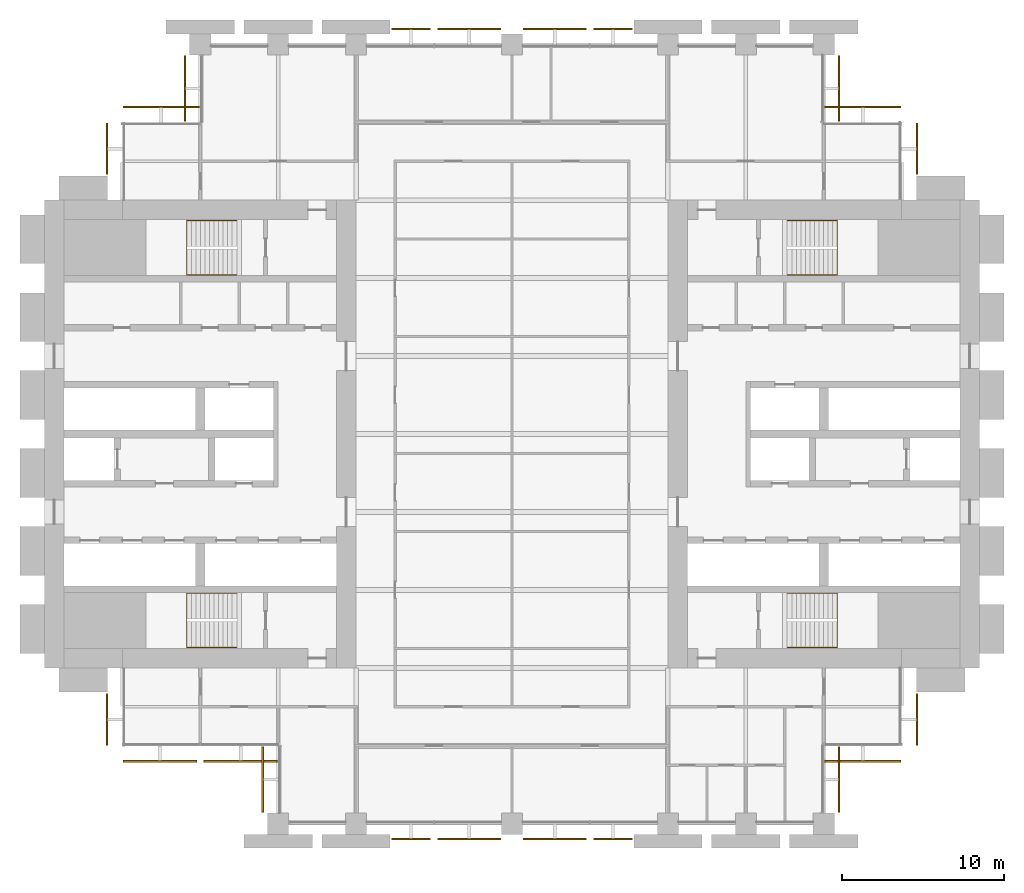
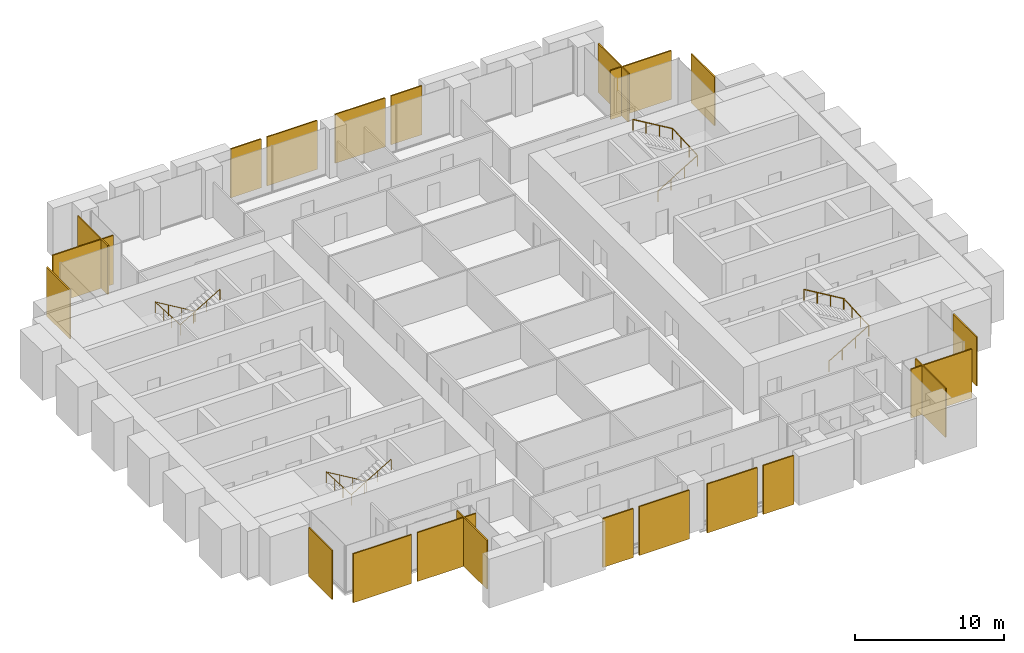
# One storey, part 14 of 14: 21 coverings, 4 railings.
"""IFC4 building model written with IfcOpenShell, lengths in metres."""

from ifc_helpers import new_model, si_unit, direction, frame, origin, origin_2d, place, context, subcontext, project, spatial, polyline, circle, outline, extrude, material, layer, layer_set, type_object, element, save


model = new_model("IFC4")

# Units and contexts
model_context = context("Model", 3, precision=1e-05, world=origin(), true_north=direction((0.0, 1.0)))
body_context = subcontext(model_context, "Body", "Model", "MODEL_VIEW")
ifc_project = project(units=[si_unit("LENGTHUNIT", "METRE"), si_unit("AREAUNIT", "SQUARE_METRE"), si_unit("VOLUMEUNIT", "CUBIC_METRE"), si_unit("PLANEANGLEUNIT", "RADIAN"), si_unit("MASSUNIT", "GRAM", prefix="KILO")], contexts=[model_context])

# Site, building, storey
site_placement = place(None, origin())
site = spatial("IfcSite", under=ifc_project, at=site_placement, CompositionType="ELEMENT")
building_placement = place(site_placement, origin())
building = spatial("IfcBuilding", under=site, at=building_placement, Name="Baori Bourse Tower", CompositionType="ELEMENT")
storey_placement = place(building_placement, frame((0.0, 0.0, 55.0)))
storey = spatial("IfcBuildingStorey", under=building, at=storey_placement, Name="L11", CompositionType="ELEMENT", Elevation=55.0)

# Railings
ifc_material_1 = material(Name="Powder-coated steel balustrade", Category="steel")
railing_type = type_object("IfcRailingType", Name="Core stair handrail", PredefinedType="HANDRAIL", material=ifc_material_1)
railing_1_placement = place(storey_placement, frame((11.85009765625, 14.199951171875, 0.166748046875)))
element("IfcRailing", 1, at=railing_1_placement, inside=storey, type_object=railing_type, Name="L11 ST1 stair handrail 1", PredefinedType="HANDRAIL", context=body_context, shape_type="SweptSolid", body=[
    extrude(circle(Radius=0.02392578125, at=origin_2d()), frame((0.0, 0.0, 0.8759765625), z_axis=(-0.859308565015, 0.0, 0.511457515432), x_axis=(0.0, -1.0, 0.0)), (0.0, 0.0, 1.0), 3.58447265625),
    extrude(circle(Radius=0.02392578125, at=origin_2d()), frame((-3.080078125, 0.0, 2.708984375), z_axis=(0.0, -0.998763387249, 0.04971615724), x_axis=(1.0, 0.0, 0.0)), (0.0, 0.0, 1.0), 3.35400390625),
    extrude(circle(Radius=0.02392578125, at=origin_2d()), frame((-3.080078125, -3.349853515625, 2.8759765625), z_axis=(0.859308565015, 0.0, 0.511457515432), x_axis=(0.0, 1.0, 0.0)), (0.0, 0.0, 1.0), 3.58447265625),
    extrude(circle(Radius=0.02099609375, at=origin_2d()), origin(), (0.0, 0.0, 1.0), 0.851806640625),
    extrude(circle(Radius=0.02099609375, at=origin_2d()), frame((-1.026611328125, 0.0, 0.611083984375)), (0.0, 0.0, 1.0), 0.851806640625),
    extrude(circle(Radius=0.02099609375, at=origin_2d()), frame((-2.053466796875, 0.0, 1.22216796875)), (0.0, 0.0, 1.0), 0.851806640625),
    extrude(circle(Radius=0.02099609375, at=origin_2d()), frame((-3.080078125, 0.0, 1.833251953125)), (0.0, 0.0, 1.0), 0.851806640625),
    extrude(circle(Radius=0.02099609375, at=origin_2d()), frame((-3.080078125, -1.11669921875, 1.888916015625)), (0.0, 0.0, 1.0), 0.851806640625),
    extrude(circle(Radius=0.02099609375, at=origin_2d()), frame((-3.080078125, -2.233154296875, 1.9443359375)), (0.0, 0.0, 1.0), 0.851806640625),
    extrude(circle(Radius=0.02099609375, at=origin_2d()), frame((-3.080078125, -3.349853515625, 2.0)), (0.0, 0.0, 1.0), 0.851806640625),
    extrude(circle(Radius=0.02099609375, at=origin_2d()), frame((-2.053466796875, -3.349853515625, 2.611083984375)), (0.0, 0.0, 1.0), 0.851806640625),
    extrude(circle(Radius=0.02099609375, at=origin_2d()), frame((-1.026611328125, -3.349853515625, 3.22216796875)), (0.0, 0.0, 1.0), 0.851806640625),
    extrude(circle(Radius=0.02099609375, at=origin_2d()), frame((0.0, -3.349853515625, 3.833251953125)), (0.0, 0.0, 1.0), 0.851806640625),
])
railing_2_placement = place(storey_placement, frame((11.85009765625, 37.14990234375, 0.166748046875)))
element("IfcRailing", 2, at=railing_2_placement, inside=storey, type_object=railing_type, Name="L11 ST2 stair handrail 1", PredefinedType="HANDRAIL", context=body_context, shape_type="SweptSolid", body=[
    extrude(circle(Radius=0.02392578125, at=origin_2d()), frame((0.0, 0.0, 0.8759765625), z_axis=(-0.859308565015, 0.0, 0.511457515432), x_axis=(0.0, -1.0, 0.0)), (0.0, 0.0, 1.0), 3.58447265625),
    extrude(circle(Radius=0.02392578125, at=origin_2d()), frame((-3.080078125, 0.0, 2.708984375), z_axis=(0.0, -0.998763387249, 0.04971615724), x_axis=(1.0, 0.0, 0.0)), (0.0, 0.0, 1.0), 3.35400390625),
    extrude(circle(Radius=0.02392578125, at=origin_2d()), frame((-3.080078125, -3.349853515625, 2.8759765625), z_axis=(0.859308565015, 0.0, 0.511457515432), x_axis=(0.0, 1.0, 0.0)), (0.0, 0.0, 1.0), 3.58447265625),
    extrude(circle(Radius=0.02099609375, at=origin_2d()), origin(), (0.0, 0.0, 1.0), 0.851806640625),
    extrude(circle(Radius=0.02099609375, at=origin_2d()), frame((-1.026611328125, 0.0, 0.611083984375)), (0.0, 0.0, 1.0), 0.851806640625),
    extrude(circle(Radius=0.02099609375, at=origin_2d()), frame((-2.053466796875, 0.0, 1.22216796875)), (0.0, 0.0, 1.0), 0.851806640625),
    extrude(circle(Radius=0.02099609375, at=origin_2d()), frame((-3.080078125, 0.0, 1.833251953125)), (0.0, 0.0, 1.0), 0.851806640625),
    extrude(circle(Radius=0.02099609375, at=origin_2d()), frame((-3.080078125, -1.11669921875, 1.888916015625)), (0.0, 0.0, 1.0), 0.851806640625),
    extrude(circle(Radius=0.02099609375, at=origin_2d()), frame((-3.080078125, -2.233154296875, 1.9443359375)), (0.0, 0.0, 1.0), 0.851806640625),
    extrude(circle(Radius=0.02099609375, at=origin_2d()), frame((-3.080078125, -3.349853515625, 2.0)), (0.0, 0.0, 1.0), 0.851806640625),
    extrude(circle(Radius=0.02099609375, at=origin_2d()), frame((-2.053466796875, -3.349853515625, 2.611083984375)), (0.0, 0.0, 1.0), 0.851806640625),
    extrude(circle(Radius=0.02099609375, at=origin_2d()), frame((-1.026611328125, -3.349853515625, 3.22216796875)), (0.0, 0.0, 1.0), 0.851806640625),
    extrude(circle(Radius=0.02099609375, at=origin_2d()), frame((0.0, -3.349853515625, 3.833251953125)), (0.0, 0.0, 1.0), 0.851806640625),
])
railing_3_placement = place(storey_placement, frame((45.75, 10.85009765625, 0.166748046875)))
element("IfcRailing", 3, at=railing_3_placement, inside=storey, type_object=railing_type, Name="L11 ST3 stair handrail 1", PredefinedType="HANDRAIL", context=body_context, shape_type="SweptSolid", body=[
    extrude(circle(Radius=0.02392578125, at=origin_2d()), frame((0.0, 0.0, 0.8759765625), z_axis=(0.859308565015, 0.0, 0.511457515432), x_axis=(0.0, 1.0, 0.0)), (0.0, 0.0, 1.0), 3.58447265625),
    extrude(circle(Radius=0.02392578125, at=origin_2d()), frame((3.080078125, 0.0, 2.708984375), z_axis=(0.0, 0.998763387249, 0.04971615724), x_axis=(-1.0, 0.0, 0.0)), (0.0, 0.0, 1.0), 3.35400390625),
    extrude(circle(Radius=0.02392578125, at=origin_2d()), frame((3.080078125, 3.349853515625, 2.8759765625), z_axis=(-0.859308565015, 0.0, 0.511457515432), x_axis=(0.0, -1.0, 0.0)), (0.0, 0.0, 1.0), 3.58447265625),
    extrude(circle(Radius=0.02099609375, at=origin_2d()), origin(), (0.0, 0.0, 1.0), 0.851806640625),
    extrude(circle(Radius=0.02099609375, at=origin_2d()), frame((1.026611328125, 0.0, 0.611083984375)), (0.0, 0.0, 1.0), 0.851806640625),
    extrude(circle(Radius=0.02099609375, at=origin_2d()), frame((2.053466796875, 0.0, 1.22216796875)), (0.0, 0.0, 1.0), 0.851806640625),
    extrude(circle(Radius=0.02099609375, at=origin_2d()), frame((3.080078125, 0.0, 1.833251953125)), (0.0, 0.0, 1.0), 0.851806640625),
    extrude(circle(Radius=0.02099609375, at=origin_2d()), frame((3.080078125, 1.11669921875, 1.888916015625)), (0.0, 0.0, 1.0), 0.851806640625),
    extrude(circle(Radius=0.02099609375, at=origin_2d()), frame((3.080078125, 2.233154296875, 1.9443359375)), (0.0, 0.0, 1.0), 0.851806640625),
    extrude(circle(Radius=0.02099609375, at=origin_2d()), frame((3.080078125, 3.349853515625, 2.0)), (0.0, 0.0, 1.0), 0.851806640625),
    extrude(circle(Radius=0.02099609375, at=origin_2d()), frame((2.053466796875, 3.349853515625, 2.611083984375)), (0.0, 0.0, 1.0), 0.851806640625),
    extrude(circle(Radius=0.02099609375, at=origin_2d()), frame((1.026611328125, 3.349853515625, 3.22216796875)), (0.0, 0.0, 1.0), 0.851806640625),
    extrude(circle(Radius=0.02099609375, at=origin_2d()), frame((0.0, 3.349853515625, 3.833251953125)), (0.0, 0.0, 1.0), 0.851806640625),
])
railing_4_placement = place(storey_placement, frame((45.75, 33.800048828125, 0.166748046875)))
element("IfcRailing", 4, at=railing_4_placement, inside=storey, type_object=railing_type, Name="L11 ST4 stair handrail 1", PredefinedType="HANDRAIL", context=body_context, shape_type="SweptSolid", body=[
    extrude(circle(Radius=0.02392578125, at=origin_2d()), frame((0.0, 0.0, 0.8759765625), z_axis=(0.859308565015, 0.0, 0.511457515432), x_axis=(0.0, 1.0, 0.0)), (0.0, 0.0, 1.0), 3.58447265625),
    extrude(circle(Radius=0.02392578125, at=origin_2d()), frame((3.080078125, 0.0, 2.708984375), z_axis=(0.0, 0.998763387249, 0.04971615724), x_axis=(-1.0, 0.0, 0.0)), (0.0, 0.0, 1.0), 3.35400390625),
    extrude(circle(Radius=0.02392578125, at=origin_2d()), frame((3.080078125, 3.349853515625, 2.8759765625), z_axis=(-0.859308565015, 0.0, 0.511457515432), x_axis=(0.0, -1.0, 0.0)), (0.0, 0.0, 1.0), 3.58447265625),
    extrude(circle(Radius=0.02099609375, at=origin_2d()), origin(), (0.0, 0.0, 1.0), 0.851806640625),
    extrude(circle(Radius=0.02099609375, at=origin_2d()), frame((1.026611328125, 0.0, 0.611083984375)), (0.0, 0.0, 1.0), 0.851806640625),
    extrude(circle(Radius=0.02099609375, at=origin_2d()), frame((2.053466796875, 0.0, 1.22216796875)), (0.0, 0.0, 1.0), 0.851806640625),
    extrude(circle(Radius=0.02099609375, at=origin_2d()), frame((3.080078125, 0.0, 1.833251953125)), (0.0, 0.0, 1.0), 0.851806640625),
    extrude(circle(Radius=0.02099609375, at=origin_2d()), frame((3.080078125, 1.11669921875, 1.888916015625)), (0.0, 0.0, 1.0), 0.851806640625),
    extrude(circle(Radius=0.02099609375, at=origin_2d()), frame((3.080078125, 2.233154296875, 1.9443359375)), (0.0, 0.0, 1.0), 0.851806640625),
    extrude(circle(Radius=0.02099609375, at=origin_2d()), frame((3.080078125, 3.349853515625, 2.0)), (0.0, 0.0, 1.0), 0.851806640625),
    extrude(circle(Radius=0.02099609375, at=origin_2d()), frame((2.053466796875, 3.349853515625, 2.611083984375)), (0.0, 0.0, 1.0), 0.851806640625),
    extrude(circle(Radius=0.02099609375, at=origin_2d()), frame((1.026611328125, 3.349853515625, 3.22216796875)), (0.0, 0.0, 1.0), 0.851806640625),
    extrude(circle(Radius=0.02099609375, at=origin_2d()), frame((0.0, 3.349853515625, 3.833251953125)), (0.0, 0.0, 1.0), 0.851806640625),
])

# Coverings
ifc_material_2 = material(Name="Pale anodised aluminium", Category="aluminium")
ifc_layer = layer(ifc_material_2, 0.10009765625)
ifc_layer_set = layer_set([ifc_layer], Name="OS3 Outer skin screen panel")
covering_type = type_object("IfcCoveringType", Name="OS3 Outer skin screen panel", PredefinedType="CLADDING", material=ifc_layer_set)
covering_1_placement = place(storey_placement, frame((0.0, 0.0, -0.159912109375)))
element("IfcCovering", 5, at=covering_1_placement, inside=storey, type_object=covering_type, Name="Outer skin screen L11 1", PredefinedType="CLADDING", context=body_context, shape_type="SweptSolid", body=[
    extrude(outline(polyline([(53.699951171875, 43.14990234375), (53.699951171875, 40.0), (53.800048828125, 40.0), (53.800048828125, 43.14990234375), (53.699951171875, 43.14990234375)])), origin(), (0.0, 0.0, 1.0), 4.0),
])
covering_2_placement = place(storey_placement, frame((0.0, 0.0, -0.159912109375)))
element("IfcCovering", 6, at=covering_2_placement, inside=storey, type_object=covering_type, Name="Outer skin screen L11 2", PredefinedType="CLADDING", context=body_context, shape_type="SweptSolid", body=[
    extrude(outline(polyline([(48.050048828125, 44.10009765625), (52.75, 44.10009765625), (52.75, 44.199951171875), (48.050048828125, 44.199951171875), (48.050048828125, 44.10009765625)])), origin(), (0.0, 0.0, 1.0), 4.0),
])
covering_3_placement = place(storey_placement, frame((0.0, 0.0, -0.159912109375)))
element("IfcCovering", 7, at=covering_3_placement, inside=storey, type_object=covering_type, Name="Outer skin screen L11 3", PredefinedType="CLADDING", context=body_context, shape_type="SweptSolid", body=[
    extrude(outline(polyline([(48.89990234375, 47.300048828125), (48.89990234375, 43.25), (49.0, 43.25), (49.0, 47.300048828125), (48.89990234375, 47.300048828125)])), origin(), (0.0, 0.0, 1.0), 4.0),
])
covering_4_placement = place(storey_placement, frame((0.0, 0.0, -0.159912109375)))
element("IfcCovering", 8, at=covering_4_placement, inside=storey, type_object=covering_type, Name="Outer skin screen L11 4", PredefinedType="CLADDING", context=body_context, shape_type="SweptSolid", body=[
    extrude(outline(polyline([(33.824951171875, 48.89990234375), (36.199951171875, 48.89990234375), (36.199951171875, 49.0), (33.824951171875, 49.0), (33.824951171875, 48.89990234375)])), origin(), (0.0, 0.0, 1.0), 4.0),
])
covering_5_placement = place(storey_placement, frame((0.0, 0.0, -0.159912109375)))
element("IfcCovering", 9, at=covering_5_placement, inside=storey, type_object=covering_type, Name="Outer skin screen L11 5", PredefinedType="CLADDING", context=body_context, shape_type="SweptSolid", body=[
    extrude(outline(polyline([(29.5, 48.89990234375), (33.375, 48.89990234375), (33.375, 49.0), (29.5, 49.0), (29.5, 48.89990234375)])), origin(), (0.0, 0.0, 1.0), 4.0),
])
covering_6_placement = place(storey_placement, frame((0.0, 0.0, -0.159912109375)))
element("IfcCovering", 10, at=covering_6_placement, inside=storey, type_object=covering_type, Name="Outer skin screen L11 6", PredefinedType="CLADDING", context=body_context, shape_type="SweptSolid", body=[
    extrude(outline(polyline([(24.22509765625, 48.89990234375), (28.10009765625, 48.89990234375), (28.10009765625, 49.0), (24.22509765625, 49.0), (24.22509765625, 48.89990234375)])), origin(), (0.0, 0.0, 1.0), 4.0),
])
covering_7_placement = place(storey_placement, frame((0.0, 0.0, -0.159912109375)))
element("IfcCovering", 11, at=covering_7_placement, inside=storey, type_object=covering_type, Name="Outer skin screen L11 7", PredefinedType="CLADDING", context=body_context, shape_type="SweptSolid", body=[
    extrude(outline(polyline([(21.39990234375, 48.89990234375), (23.77490234375, 48.89990234375), (23.77490234375, 49.0), (21.39990234375, 49.0), (21.39990234375, 48.89990234375)])), origin(), (0.0, 0.0, 1.0), 4.0),
])
covering_8_placement = place(storey_placement, frame((0.0, 0.0, -0.159912109375)))
element("IfcCovering", 12, at=covering_8_placement, inside=storey, type_object=covering_type, Name="Outer skin screen L11 8", PredefinedType="CLADDING", context=body_context, shape_type="SweptSolid", body=[
    extrude(outline(polyline([(8.699951171875, 43.25), (8.699951171875, 47.300048828125), (8.60009765625, 47.300048828125), (8.60009765625, 43.25), (8.699951171875, 43.25)])), origin(), (0.0, 0.0, 1.0), 4.0),
])
covering_9_placement = place(storey_placement, frame((0.0, 0.0, -0.159912109375)))
element("IfcCovering", 13, at=covering_9_placement, inside=storey, type_object=covering_type, Name="Outer skin screen L11 9", PredefinedType="CLADDING", context=body_context, shape_type="SweptSolid", body=[
    extrude(outline(polyline([(4.85009765625, 44.10009765625), (9.550048828125, 44.10009765625), (9.550048828125, 44.199951171875), (4.85009765625, 44.199951171875), (4.85009765625, 44.10009765625)])), origin(), (0.0, 0.0, 1.0), 4.0),
])
covering_10_placement = place(storey_placement, frame((0.0, 0.0, -0.159912109375)))
element("IfcCovering", 14, at=covering_10_placement, inside=storey, type_object=covering_type, Name="Outer skin screen L11 10", PredefinedType="CLADDING", context=body_context, shape_type="SweptSolid", body=[
    extrude(outline(polyline([(3.89990234375, 40.0), (3.89990234375, 43.14990234375), (3.800048828125, 43.14990234375), (3.800048828125, 40.0), (3.89990234375, 40.0), (3.89990234375, 40.0)])), origin(), (0.0, 0.0, 1.0), 4.0),
])
covering_11_placement = place(storey_placement, frame((0.0, 0.0, -0.159912109375)))
element("IfcCovering", 15, at=covering_11_placement, inside=storey, type_object=covering_type, Name="Outer skin screen L11 11", PredefinedType="CLADDING", context=body_context, shape_type="SweptSolid", body=[
    extrude(outline(polyline([(3.89990234375, 4.85009765625), (3.89990234375, 8.0), (3.89990234375, 8.0), (3.800048828125, 8.0), (3.800048828125, 4.85009765625), (3.89990234375, 4.85009765625)])), origin(), (0.0, 0.0, 1.0), 4.0),
])
covering_12_placement = place(storey_placement, frame((0.0, 0.0, -0.159912109375)))
element("IfcCovering", 16, at=covering_12_placement, inside=storey, type_object=covering_type, Name="Outer skin screen L11 12", PredefinedType="CLADDING", context=body_context, shape_type="SweptSolid", body=[
    extrude(outline(polyline([(9.375, 3.89990234375), (4.85009765625, 3.89990234375), (4.85009765625, 3.800048828125), (9.375, 3.800048828125), (9.375, 3.89990234375)])), origin(), (0.0, 0.0, 1.0), 4.0),
])
covering_13_placement = place(storey_placement, frame((0.0, 0.0, -0.159912109375)))
element("IfcCovering", 17, at=covering_13_placement, inside=storey, type_object=covering_type, Name="Outer skin screen L11 13", PredefinedType="CLADDING", context=body_context, shape_type="SweptSolid", body=[
    extrude(outline(polyline([(14.35009765625, 3.89990234375), (9.824951171875, 3.89990234375), (9.824951171875, 3.800048828125), (14.35009765625, 3.800048828125), (14.35009765625, 3.89990234375)])), origin(), (0.0, 0.0, 1.0), 4.0),
])
covering_14_placement = place(storey_placement, frame((0.0, 0.0, -0.159912109375)))
element("IfcCovering", 18, at=covering_14_placement, inside=storey, type_object=covering_type, Name="Outer skin screen L11 14", PredefinedType="CLADDING", context=body_context, shape_type="SweptSolid", body=[
    extrude(outline(polyline([(13.5, 0.699951171875), (13.5, 4.75), (13.39990234375, 4.75), (13.39990234375, 0.699951171875), (13.5, 0.699951171875)])), origin(), (0.0, 0.0, 1.0), 4.0),
])
covering_15_placement = place(storey_placement, frame((0.0, 0.0, -0.159912109375)))
element("IfcCovering", 19, at=covering_15_placement, inside=storey, type_object=covering_type, Name="Outer skin screen L11 15", PredefinedType="CLADDING", context=body_context, shape_type="SweptSolid", body=[
    extrude(outline(polyline([(23.77490234375, -0.89990234375), (21.39990234375, -0.89990234375), (21.39990234375, -1.0), (23.77490234375, -1.0), (23.77490234375, -0.89990234375)])), origin(), (0.0, 0.0, 1.0), 4.0),
])
covering_16_placement = place(storey_placement, frame((0.0, 0.0, -0.159912109375)))
element("IfcCovering", 20, at=covering_16_placement, inside=storey, type_object=covering_type, Name="Outer skin screen L11 16", PredefinedType="CLADDING", context=body_context, shape_type="SweptSolid", body=[
    extrude(outline(polyline([(28.10009765625, -0.89990234375), (24.22509765625, -0.89990234375), (24.22509765625, -1.0), (28.10009765625, -1.0), (28.10009765625, -0.89990234375)])), origin(), (0.0, 0.0, 1.0), 4.0),
])
covering_17_placement = place(storey_placement, frame((0.0, 0.0, -0.159912109375)))
element("IfcCovering", 21, at=covering_17_placement, inside=storey, type_object=covering_type, Name="Outer skin screen L11 17", PredefinedType="CLADDING", context=body_context, shape_type="SweptSolid", body=[
    extrude(outline(polyline([(33.375, -0.89990234375), (29.5, -0.89990234375), (29.5, -1.0), (33.375, -1.0), (33.375, -0.89990234375)])), origin(), (0.0, 0.0, 1.0), 4.0),
])
covering_18_placement = place(storey_placement, frame((0.0, 0.0, -0.159912109375)))
element("IfcCovering", 22, at=covering_18_placement, inside=storey, type_object=covering_type, Name="Outer skin screen L11 18", PredefinedType="CLADDING", context=body_context, shape_type="SweptSolid", body=[
    extrude(outline(polyline([(36.199951171875, -0.89990234375), (33.824951171875, -0.89990234375), (33.824951171875, -1.0), (36.199951171875, -1.0), (36.199951171875, -0.89990234375)])), origin(), (0.0, 0.0, 1.0), 4.0),
])
covering_19_placement = place(storey_placement, frame((0.0, 0.0, -0.159912109375)))
element("IfcCovering", 23, at=covering_19_placement, inside=storey, type_object=covering_type, Name="Outer skin screen L11 19", PredefinedType="CLADDING", context=body_context, shape_type="SweptSolid", body=[
    extrude(outline(polyline([(48.89990234375, 4.75), (48.89990234375, 0.699951171875), (49.0, 0.699951171875), (49.0, 4.75), (48.89990234375, 4.75)])), origin(), (0.0, 0.0, 1.0), 4.0),
])
covering_20_placement = place(storey_placement, frame((0.0, 0.0, -0.159912109375)))
element("IfcCovering", 24, at=covering_20_placement, inside=storey, type_object=covering_type, Name="Outer skin screen L11 20", PredefinedType="CLADDING", context=body_context, shape_type="SweptSolid", body=[
    extrude(outline(polyline([(52.75, 3.89990234375), (48.050048828125, 3.89990234375), (48.050048828125, 3.800048828125), (52.75, 3.800048828125), (52.75, 3.89990234375)])), origin(), (0.0, 0.0, 1.0), 4.0),
])
covering_21_placement = place(storey_placement, frame((0.0, 0.0, -0.159912109375)))
element("IfcCovering", 25, at=covering_21_placement, inside=storey, type_object=covering_type, Name="Outer skin screen L11 21", PredefinedType="CLADDING", context=body_context, shape_type="SweptSolid", body=[
    extrude(outline(polyline([(53.699951171875, 8.0), (53.699951171875, 4.85009765625), (53.800048828125, 4.85009765625), (53.800048828125, 8.0), (53.699951171875, 8.0)])), origin(), (0.0, 0.0, 1.0), 4.0),
])

save(model, "model.ifc")
